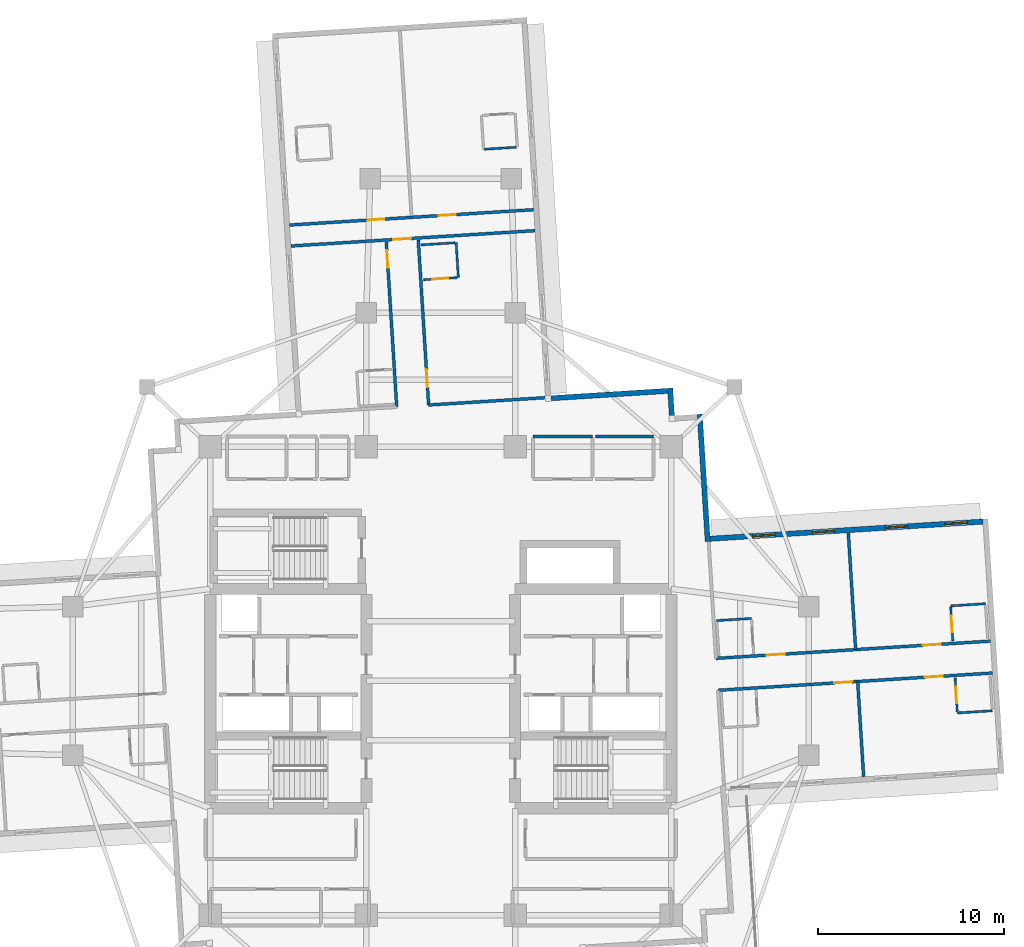
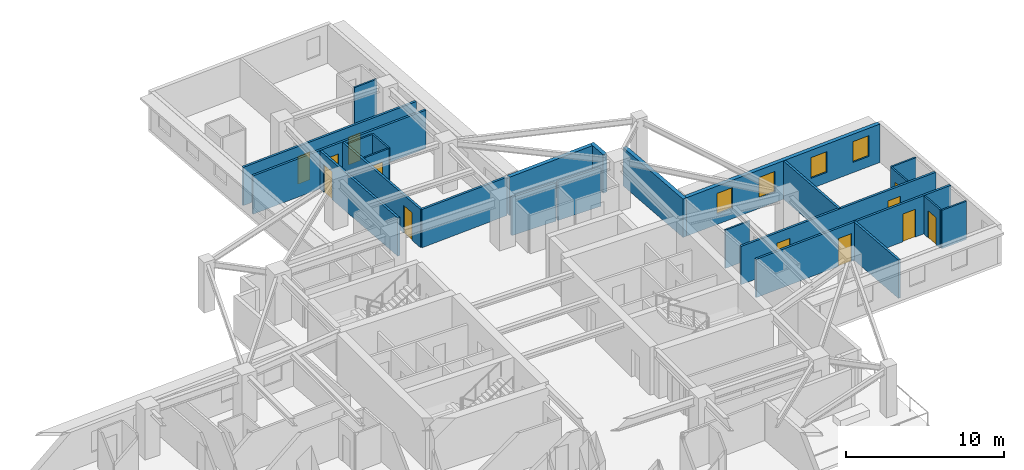
# One storey, part 8 of 14: 24 walls, 12 doors, 4 windows, 16 openings.
"""IFC4 building model written with IfcOpenShell, lengths in metres."""

from ifc_helpers import new_model, si_unit, direction, frame, frame_2d, origin, place, context, subcontext, project, spatial, rectangle, extrude, material, layer, layer_set, type_object, element, fill, save


model = new_model("IFC4")

# Units and contexts
model_context = context("Model", 3, precision=1e-05, world=origin(), true_north=direction((0.0, 1.0)))
body_context = subcontext(model_context, "Body", "Model", "MODEL_VIEW")
ifc_project = project(units=[si_unit("LENGTHUNIT", "METRE"), si_unit("AREAUNIT", "SQUARE_METRE"), si_unit("VOLUMEUNIT", "CUBIC_METRE"), si_unit("PLANEANGLEUNIT", "RADIAN"), si_unit("MASSUNIT", "GRAM", prefix="KILO")], contexts=[model_context])

# Site, building, storey
site_placement = place(None, origin())
site = spatial("IfcSite", under=ifc_project, at=site_placement, CompositionType="ELEMENT")
building_placement = place(site_placement, origin())
building = spatial("IfcBuilding", under=site, at=building_placement, Name="Qingluan Cross Belvedere", CompositionType="ELEMENT")
storey_placement = place(building_placement, frame((0.0, 0.0, 120.300048828125)))
storey = spatial("IfcBuildingStorey", under=building, at=storey_placement, Name="L30", CompositionType="ELEMENT", Elevation=120.300048828125)

# Walls
ifc_material_1 = material(Name="Gypsum plasterboard on steel stud acoustic partition", Category="steel")
ifc_layer_1 = layer(ifc_material_1, 0.159912109375, Name="CorridorPartition_160")
ifc_layer_set_1 = layer_set([ifc_layer_1], Name="Gypsum plasterboard on steel stud acoustic partition")
wall_type_1 = type_object("IfcWallType", Name="CorridorPartition_160", PredefinedType="PARTITIONING", material=ifc_layer_set_1)
wall_1_placement = place(storey_placement, frame((4.949951171875, 13.14990234375, 0.0), z_axis=(0.0, 0.0, 1.0), x_axis=(1.0, 0.0, 0.0)))
element("IfcWall", 1, at=wall_1_placement, inside=storey, type_object=wall_type_1, Name="Partition L30:q_ne1:N", PredefinedType="PARTITIONING", context=body_context, shape_type="SweptSolid", body=[
    extrude(rectangle(XDim=3.199951171875, YDim=0.159912109375, at=frame_2d((1.60009765625, 0.0))), origin(), (0.0, 0.0, 1.0), 2.9599609375),
])
wall_2_placement = place(storey_placement, frame((8.31005859375, 13.14990234375, 0.0), z_axis=(0.0, 0.0, 1.0), x_axis=(1.0, 0.0, 0.0)))
element("IfcWall", 2, at=wall_2_placement, inside=storey, type_object=wall_type_1, Name="Partition L30:q_ne2:N", PredefinedType="PARTITIONING", context=body_context, shape_type="SweptSolid", body=[
    extrude(rectangle(XDim=3.139892578125, YDim=0.159912109375, at=frame_2d((1.56982421875, 0.0))), origin(), (0.0, 0.0, 1.0), 2.9599609375),
])

# Wall, openings, doors
wall_3_placement = place(storey_placement, frame((14.802978515625, 1.2119140625, 0.0), z_axis=(0.0, 0.0, 1.0), x_axis=(0.998027564116, 0.062777235242, 0.0)))
wall_3 = element("IfcWall", 3, at=wall_3_placement, inside=storey, type_object=wall_type_1, Name="Partition L30:E:c0", PredefinedType="PARTITIONING", context=body_context, shape_type="SweptSolid", body=[
    extrude(rectangle(XDim=14.781982421875, YDim=0.159912109375, at=frame_2d((7.39111328125, 0.0))), origin(), (0.0, 0.0, 1.0), 2.9599609375),
])
opening_1_placement = place(wall_3_placement, frame((2.73291015625, 0.0, 0.0)))
opening_1 = element("IfcOpeningElement", 4, at=opening_1_placement, cuts=wall_3, Name="Opening GD-10", PredefinedType="OPENING", context=body_context, shape_type="SweptSolid", body=[
    extrude(rectangle(XDim=0.9599609375, YDim=2.14990234375, at=frame_2d((0.47998046875, 1.074951171875))), frame((0.0, 0.08984375, 0.0), z_axis=(0.0, -1.0, 0.0), x_axis=(1.0, 0.0, 0.0)), (0.0, 0.0, 1.0), 0.179931640625),
])
opening_2_placement = place(wall_3_placement, frame((11.14208984375, 0.0, 0.0)))
opening_2 = element("IfcOpeningElement", 5, at=opening_2_placement, cuts=wall_3, Name="Opening GD-10", PredefinedType="OPENING", context=body_context, shape_type="SweptSolid", body=[
    extrude(rectangle(XDim=0.9599609375, YDim=2.14990234375, at=frame_2d((0.47998046875, 1.074951171875))), frame((0.0, 0.08984375, 0.0), z_axis=(0.0, -1.0, 0.0), x_axis=(1.0, 0.0, 0.0)), (0.0, 0.0, 1.0), 0.179931640625),
])
ifc_material_2 = material(Name="Timber oak fire-rated acoustic guestroom door", Category="wood")
door_type_1 = type_object("IfcDoorType", Name="GuestEntryDoor_FD60", OperationType="NOTDEFINED", PredefinedType="DOOR", material=ifc_material_2)
door_1_placement = place(opening_1_placement, origin())
door_1 = element("IfcDoor", 6, at=door_1_placement, inside=storey, type_object=door_type_1, Name="Guest entry fire door 3001", OperationType="SINGLE_SWING_RIGHT", OverallHeight=2.14990234375, OverallWidth=0.9599609375, PredefinedType="DOOR", context=body_context, shape_type="SweptSolid", body=[
    extrude(rectangle(XDim=0.9599609375, YDim=2.14990234375, at=frame_2d((0.47998046875, 1.074951171875))), frame((0.0, 0.02490234375, 0.0), z_axis=(0.0, -1.0, 0.0), x_axis=(1.0, 0.0, 0.0)), (0.0, 0.0, 1.0), 0.050048828125),
])
fill(opening_1, door_1)
door_2_placement = place(opening_2_placement, origin())
door_2 = element("IfcDoor", 7, at=door_2_placement, inside=storey, type_object=door_type_1, Name="Guest entry fire door 3002", OperationType="SINGLE_SWING_RIGHT", OverallHeight=2.14990234375, OverallWidth=0.9599609375, PredefinedType="DOOR", context=body_context, shape_type="SweptSolid", body=[
    extrude(rectangle(XDim=0.9599609375, YDim=2.14990234375, at=frame_2d((0.47998046875, 1.074951171875))), frame((0.0, 0.02490234375, 0.0), z_axis=(0.0, -1.0, 0.0), x_axis=(1.0, 0.0, 0.0)), (0.0, 0.0, 1.0), 0.050048828125),
])
fill(opening_2, door_2)

# Wall
wall_4_placement = place(storey_placement, frame((22.313232421875, 1.684326171875, 0.0), z_axis=(0.0, 0.0, 1.0), x_axis=(-0.062779270337, 0.998027436104, 0.0)))
element("IfcWall", 8, at=wall_4_placement, inside=storey, type_object=wall_type_1, Name="Partition L30:E:d0_0", PredefinedType="PARTITIONING", context=body_context, shape_type="SweptSolid", body=[
    extrude(rectangle(XDim=6.292236328125, YDim=0.159912109375, at=frame_2d((3.14599609375, 0.0))), origin(), (0.0, 0.0, 1.0), 2.9599609375),
])

# Wall, openings, doors
wall_5_placement = place(storey_placement, frame((14.9111328125, -0.504638671875, 0.0), z_axis=(0.0, 0.0, 1.0), x_axis=(0.998027564116, 0.062777235242, 0.0)))
wall_5 = element("IfcWall", 9, at=wall_5_placement, inside=storey, type_object=wall_type_1, Name="Partition L30:E:c1", PredefinedType="PARTITIONING", context=body_context, shape_type="SweptSolid", body=[
    extrude(rectangle(XDim=14.781982421875, YDim=0.159912109375, at=frame_2d((7.39111328125, 0.0))), origin(), (0.0, 0.0, 1.0), 2.9599609375),
])
opening_3_placement = place(wall_5_placement, frame((6.264892578125, 0.0, 0.0)))
opening_3 = element("IfcOpeningElement", 10, at=opening_3_placement, cuts=wall_5, Name="Opening GD-10", PredefinedType="OPENING", context=body_context, shape_type="SweptSolid", body=[
    extrude(rectangle(XDim=0.9599609375, YDim=2.14990234375, at=frame_2d((0.47998046875, 1.074951171875))), frame((0.0, 0.08984375, 0.0), z_axis=(0.0, -1.0, 0.0), x_axis=(1.0, 0.0, 0.0)), (0.0, 0.0, 1.0), 0.179931640625),
])
opening_4_placement = place(wall_5_placement, frame((11.14208984375, 0.0, 0.0)))
opening_4 = element("IfcOpeningElement", 11, at=opening_4_placement, cuts=wall_5, Name="Opening GD-10", PredefinedType="OPENING", context=body_context, shape_type="SweptSolid", body=[
    extrude(rectangle(XDim=0.9599609375, YDim=2.14990234375, at=frame_2d((0.47998046875, 1.074951171875))), frame((0.0, 0.08984375, 0.0), z_axis=(0.0, -1.0, 0.0), x_axis=(1.0, 0.0, 0.0)), (0.0, 0.0, 1.0), 0.179931640625),
])
door_3_placement = place(opening_3_placement, origin())
door_3 = element("IfcDoor", 12, at=door_3_placement, inside=storey, type_object=door_type_1, Name="Guest entry fire door 3003", OperationType="SINGLE_SWING_RIGHT", OverallHeight=2.14990234375, OverallWidth=0.9599609375, PredefinedType="DOOR", context=body_context, shape_type="SweptSolid", body=[
    extrude(rectangle(XDim=0.9599609375, YDim=2.14990234375, at=frame_2d((0.47998046875, 1.074951171875))), frame((0.0, 0.02490234375, 0.0), z_axis=(0.0, -1.0, 0.0), x_axis=(1.0, 0.0, 0.0)), (0.0, 0.0, 1.0), 0.050048828125),
])
fill(opening_3, door_3)
door_4_placement = place(opening_4_placement, origin())
door_4 = element("IfcDoor", 13, at=door_4_placement, inside=storey, type_object=door_type_1, Name="Guest entry fire door 3004", OperationType="SINGLE_SWING_RIGHT", OverallHeight=2.14990234375, OverallWidth=0.9599609375, PredefinedType="DOOR", context=body_context, shape_type="SweptSolid", body=[
    extrude(rectangle(XDim=0.9599609375, YDim=2.14990234375, at=frame_2d((0.47998046875, 1.074951171875))), frame((0.0, 0.02490234375, 0.0), z_axis=(0.0, -1.0, 0.0), x_axis=(1.0, 0.0, 0.0)), (0.0, 0.0, 1.0), 0.050048828125),
])
fill(opening_4, door_4)

# Wall
wall_6_placement = place(storey_placement, frame((22.42138671875, -0.0322265625, 0.0), z_axis=(0.0, 0.0, 1.0), x_axis=(0.062748498058, -0.998029371307, 0.0)))
element("IfcWall", 14, at=wall_6_placement, inside=storey, type_object=wall_type_1, Name="Partition L30:E:d1_0", PredefinedType="PARTITIONING", context=body_context, shape_type="SweptSolid", body=[
    extrude(rectangle(XDim=5.1318359375, YDim=0.159912109375, at=frame_2d((2.56591796875, 0.0))), origin(), (0.0, 0.0, 1.0), 2.9599609375),
])

# Wall, opening, door
wall_7_placement = place(storey_placement, frame((-0.653076171875, 14.83837890625, 0.0), z_axis=(0.0, 0.0, 1.0), x_axis=(-0.062791573569, 0.998026662113, 0.0)))
wall_7 = element("IfcWall", 15, at=wall_7_placement, inside=storey, type_object=wall_type_1, Name="Partition L30:N:c0", PredefinedType="PARTITIONING", context=body_context, shape_type="SweptSolid", body=[
    extrude(rectangle(XDim=8.89990234375, YDim=0.159912109375, at=frame_2d((4.449951171875, 0.0))), origin(), (0.0, 0.0, 1.0), 2.9599609375),
])
opening_5_placement = place(wall_7_placement, frame((0.952880859375, 0.0, 0.0)))
opening_5 = element("IfcOpeningElement", 16, at=opening_5_placement, cuts=wall_7, Name="Opening GD-10", PredefinedType="OPENING", context=body_context, shape_type="SweptSolid", body=[
    extrude(rectangle(XDim=0.9599609375, YDim=2.14990234375, at=frame_2d((0.47998046875, 1.074951171875))), frame((0.0, 0.08984375, 0.0), z_axis=(0.0, -1.0, 0.0), x_axis=(1.0, 0.0, 0.0)), (0.0, 0.0, 1.0), 0.179931640625),
])
door_5_placement = place(opening_5_placement, origin())
door_5 = element("IfcDoor", 17, at=door_5_placement, inside=storey, type_object=door_type_1, Name="Guest entry fire door 3007", OperationType="SINGLE_SWING_RIGHT", OverallHeight=2.14990234375, OverallWidth=0.9599609375, PredefinedType="DOOR", context=body_context, shape_type="SweptSolid", body=[
    extrude(rectangle(XDim=0.9599609375, YDim=2.14990234375, at=frame_2d((0.47998046875, 1.074951171875))), frame((0.0, 0.02490234375, 0.0), z_axis=(0.0, -1.0, 0.0), x_axis=(1.0, 0.0, 0.0)), (0.0, 0.0, 1.0), 0.050048828125),
])
fill(opening_5, door_5)

# Wall
wall_8_placement = place(storey_placement, frame((-0.653076171875, 14.83837890625, 0.0), z_axis=(0.0, 0.0, 1.0), x_axis=(0.998027570366, 0.062777135888, 0.0)))
element("IfcWall", 18, at=wall_8_placement, inside=storey, type_object=wall_type_1, Name="Partition L30:N:s0", PredefinedType="PARTITIONING", context=body_context, shape_type="SweptSolid", body=[
    extrude(rectangle(XDim=6.440185546875, YDim=0.159912109375, at=frame_2d((3.22021484375, 0.0))), origin(), (0.0, 0.0, 1.0), 2.9599609375),
])

# Wall, opening, door
wall_9_placement = place(storey_placement, frame((-2.36962890625, 14.730224609375, 0.0), z_axis=(0.0, 0.0, 1.0), x_axis=(-0.062789854524, 0.998026770267, 0.0)))
wall_9 = element("IfcWall", 19, at=wall_9_placement, inside=storey, type_object=wall_type_1, Name="Partition L30:N:c1", PredefinedType="PARTITIONING", context=body_context, shape_type="SweptSolid", body=[
    extrude(rectangle(XDim=8.900146484375, YDim=0.159912109375, at=frame_2d((4.4501953125, 0.0))), origin(), (0.0, 0.0, 1.0), 2.9599609375),
])
opening_6_placement = place(wall_9_placement, frame((7.5, 0.0, 0.0)))
opening_6 = element("IfcOpeningElement", 20, at=opening_6_placement, cuts=wall_9, Name="Opening GD-10", PredefinedType="OPENING", context=body_context, shape_type="SweptSolid", body=[
    extrude(rectangle(XDim=0.9599609375, YDim=2.14990234375, at=frame_2d((0.47998046875, 1.074951171875))), frame((0.0, 0.08984375, 0.0), z_axis=(0.0, -1.0, 0.0), x_axis=(1.0, 0.0, 0.0)), (0.0, 0.0, 1.0), 0.179931640625),
])
door_6_placement = place(opening_6_placement, origin())
door_6 = element("IfcDoor", 21, at=door_6_placement, inside=storey, type_object=door_type_1, Name="Guest entry fire door 3008", OperationType="SINGLE_SWING_RIGHT", OverallHeight=2.14990234375, OverallWidth=0.9599609375, PredefinedType="DOOR", context=body_context, shape_type="SweptSolid", body=[
    extrude(rectangle(XDim=0.9599609375, YDim=2.14990234375, at=frame_2d((0.47998046875, 1.074951171875))), frame((0.0, 0.02490234375, 0.0), z_axis=(0.0, -1.0, 0.0), x_axis=(1.0, 0.0, 0.0)), (0.0, 0.0, 1.0), 0.050048828125),
])
fill(opening_6, door_6)

wall_10_placement = place(storey_placement, frame((-8.056640625, 23.390380859375, 0.0), z_axis=(0.0, 0.0, 1.0), x_axis=(0.998027273128, 0.062781861182, 0.0)))
wall_10 = element("IfcWall", 22, at=wall_10_placement, inside=storey, type_object=wall_type_1, Name="Partition L30:Ncap:in", PredefinedType="PARTITIONING", context=body_context, shape_type="SweptSolid", body=[
    extrude(rectangle(XDim=13.143798828125, YDim=0.159912109375, at=frame_2d((6.57177734375, 0.0))), origin(), (0.0, 0.0, 1.0), 2.9599609375),
])
opening_7_placement = place(wall_10_placement, frame((5.511962890625, 0.0, 0.0)))
opening_7 = element("IfcOpeningElement", 23, at=opening_7_placement, cuts=wall_10, Name="Opening GD-10", PredefinedType="OPENING", context=body_context, shape_type="SweptSolid", body=[
    extrude(rectangle(XDim=0.9599609375, YDim=2.14990234375, at=frame_2d((0.47998046875, 1.074951171875))), frame((0.0, 0.08984375, 0.0), z_axis=(0.0, -1.0, 0.0), x_axis=(1.0, 0.0, 0.0)), (0.0, 0.0, 1.0), 0.179931640625),
])
door_7_placement = place(opening_7_placement, origin())
door_7 = element("IfcDoor", 24, at=door_7_placement, inside=storey, type_object=door_type_1, Name="Corner gallery fire door L30N", OperationType="SINGLE_SWING_LEFT", OverallHeight=2.14990234375, OverallWidth=0.9599609375, PredefinedType="DOOR", context=body_context, shape_type="SweptSolid", body=[
    extrude(rectangle(XDim=0.9599609375, YDim=2.14990234375, at=frame_2d((0.47998046875, 1.074951171875))), frame((0.0, 0.02490234375, 0.0), z_axis=(0.0, -1.0, 0.0), x_axis=(1.0, 0.0, 0.0)), (0.0, 0.0, 1.0), 0.050048828125),
])
fill(opening_7, door_7)

# Wall, openings, doors
wall_11_placement = place(storey_placement, frame((-8.12744140625, 24.51806640625, 0.0), z_axis=(0.0, 0.0, 1.0), x_axis=(0.998026109115, 0.062800362452, 0.0)))
wall_11 = element("IfcWall", 25, at=wall_11_placement, inside=storey, type_object=wall_type_1, Name="Partition L30:Ncap:vw", PredefinedType="PARTITIONING", context=body_context, shape_type="SweptSolid", body=[
    extrude(rectangle(XDim=13.143798828125, YDim=0.159912109375, at=frame_2d((6.57177734375, 0.0))), origin(), (0.0, 0.0, 1.0), 2.9599609375),
])
opening_8_placement = place(wall_11_placement, frame((4.201904296875, 0.0, 0.0)))
opening_8 = element("IfcOpeningElement", 26, at=opening_8_placement, cuts=wall_11, Name="Opening GD-09", PredefinedType="OPENING", context=body_context, shape_type="SweptSolid", body=[
    extrude(rectangle(XDim=0.89990234375, YDim=2.14990234375, at=frame_2d((0.449951171875, 1.074951171875))), frame((0.0, 0.08984375, 0.0), z_axis=(0.0, -1.0, 0.0), x_axis=(1.0, 0.0, 0.0)), (0.0, 0.0, 1.0), 0.179931640625),
])
opening_9_placement = place(wall_11_placement, frame((8.0419921875, 0.0, 0.0)))
opening_9 = element("IfcOpeningElement", 27, at=opening_9_placement, cuts=wall_11, Name="Opening GD-09", PredefinedType="OPENING", context=body_context, shape_type="SweptSolid", body=[
    extrude(rectangle(XDim=0.89990234375, YDim=2.14990234375, at=frame_2d((0.449951171875, 1.074951171875))), frame((0.0, 0.08984375, 0.0), z_axis=(0.0, -1.0, 0.0), x_axis=(1.0, 0.0, 0.0)), (0.0, 0.0, 1.0), 0.179931640625),
])
ifc_material_3 = material(Name="Timber oak fire-rated corner room door", Category="wood")
door_type_2 = type_object("IfcDoorType", Name="CornerRoomDoor_FD60", OperationType="NOTDEFINED", PredefinedType="DOOR", material=ifc_material_3)
door_8_placement = place(opening_8_placement, origin())
door_8 = element("IfcDoor", 28, at=door_8_placement, inside=storey, type_object=door_type_2, Name="Deluxe corner room door L30N1", OperationType="SINGLE_SWING_RIGHT", OverallHeight=2.14990234375, OverallWidth=0.89990234375, PredefinedType="DOOR", context=body_context, shape_type="SweptSolid", body=[
    extrude(rectangle(XDim=0.89990234375, YDim=2.14990234375, at=frame_2d((0.449951171875, 1.074951171875))), frame((0.0, 0.02490234375, 0.0), z_axis=(0.0, -1.0, 0.0), x_axis=(1.0, 0.0, 0.0)), (0.0, 0.0, 1.0), 0.050048828125),
])
fill(opening_8, door_8)
door_9_placement = place(opening_9_placement, origin())
door_9 = element("IfcDoor", 29, at=door_9_placement, inside=storey, type_object=door_type_2, Name="Deluxe corner room door L30N2", OperationType="SINGLE_SWING_LEFT", OverallHeight=2.14990234375, OverallWidth=0.89990234375, PredefinedType="DOOR", context=body_context, shape_type="SweptSolid", body=[
    extrude(rectangle(XDim=0.89990234375, YDim=2.14990234375, at=frame_2d((0.449951171875, 1.074951171875))), frame((0.0, 0.02490234375, 0.0), z_axis=(0.0, -1.0, 0.0), x_axis=(1.0, 0.0, 0.0)), (0.0, 0.0, 1.0), 0.050048828125),
])
fill(opening_9, door_9)

# Wall
ifc_material_4 = material(Name="Moisture-resistant gypsum board lining")
ifc_layer_2 = layer(ifc_material_4, 0.1201171875, Name="EnsuiteWetPartition_120")
ifc_layer_set_2 = layer_set([ifc_layer_2], Name="Moisture-resistant gypsum board lining")
wall_type_2 = type_object("IfcWallType", Name="EnsuiteWetPartition_120", PredefinedType="PARTITIONING", material=ifc_layer_set_2)
wall_12_placement = place(storey_placement, frame((14.835693359375, 3.242919921875, 0.0), z_axis=(0.0, 0.0, 1.0), x_axis=(0.998022650819, 0.062855297722, 0.0)))
element("IfcWall", 30, at=wall_12_placement, inside=storey, type_object=wall_type_2, Name="Partition L30:E:bn0_0", PredefinedType="PARTITIONING", context=body_context, shape_type="SweptSolid", body=[
    extrude(rectangle(XDim=1.8798828125, YDim=0.1201171875, at=frame_2d((0.93994140625, 0.0))), origin(), (0.0, 0.0, 1.0), 2.9599609375),
])

# Wall, opening, door
wall_13_placement = place(storey_placement, frame((27.5390625, 2.1533203125, 0.0), z_axis=(0.0, 0.0, 1.0), x_axis=(-0.062770741989, 0.998027972529, 0.0)))
wall_13 = element("IfcWall", 31, at=wall_13_placement, inside=storey, type_object=wall_type_2, Name="Partition L30:E:bs0_1", PredefinedType="PARTITIONING", context=body_context, shape_type="SweptSolid", body=[
    extrude(rectangle(XDim=1.8203125, YDim=0.1201171875, at=frame_2d((0.91015625, 0.0))), origin(), (0.0, 0.0, 1.0), 2.9599609375),
])
opening_10_placement = place(wall_13_placement, frame((0.469970703125, 0.0, 0.0)))
opening_10 = element("IfcOpeningElement", 32, at=opening_10_placement, cuts=wall_13, Name="Opening BD-09", PredefinedType="OPENING", context=body_context, shape_type="SweptSolid", body=[
    extrude(rectangle(XDim=0.8798828125, YDim=2.10009765625, at=frame_2d((0.43994140625, 1.050048828125))), frame((0.0, 0.070068359375, 0.0), z_axis=(0.0, -1.0, 0.0), x_axis=(1.0, 0.0, 0.0)), (0.0, 0.0, 1.0), 0.14013671875),
])
ifc_material_5 = material(Name="Moisture-sealed timber en-suite door", Category="wood")
door_type_3 = type_object("IfcDoorType", Name="BathroomDoor_880", OperationType="NOTDEFINED", PredefinedType="DOOR", material=ifc_material_5)
door_10_placement = place(opening_10_placement, origin())
door_10 = element("IfcDoor", 33, at=door_10_placement, inside=storey, type_object=door_type_3, Name="Bathroom door 3002", OperationType="SINGLE_SWING_LEFT", OverallHeight=2.10009765625, OverallWidth=0.8798828125, PredefinedType="DOOR", context=body_context, shape_type="SweptSolid", body=[
    extrude(rectangle(XDim=0.8798828125, YDim=2.10009765625, at=frame_2d((0.43994140625, 1.050048828125))), frame((0.0, 0.02490234375, 0.0), z_axis=(0.0, -1.0, 0.0), x_axis=(1.0, 0.0, 0.0)), (0.0, 0.0, 1.0), 0.050048828125),
])
fill(opening_10, door_10)

# Wall
wall_14_placement = place(storey_placement, frame((27.4208984375, 4.03466796875, 0.0), z_axis=(0.0, 0.0, 1.0), x_axis=(0.998022650819, 0.062855297722, 0.0)))
element("IfcWall", 34, at=wall_14_placement, inside=storey, type_object=wall_type_2, Name="Partition L30:E:bn0_1", PredefinedType="PARTITIONING", context=body_context, shape_type="SweptSolid", body=[
    extrude(rectangle(XDim=1.8798828125, YDim=0.1201171875, at=frame_2d((0.93994140625, 0.0))), origin(), (0.0, 0.0, 1.0), 2.9599609375),
])

# Wall, opening, door
wall_15_placement = place(storey_placement, frame((27.779052734375, -1.658935546875, 0.0), z_axis=(0.0, 0.0, 1.0), x_axis=(-0.062779145668, 0.998027443946, 0.0)))
wall_15 = element("IfcWall", 35, at=wall_15_placement, inside=storey, type_object=wall_type_2, Name="Partition L30:E:bs1_1", PredefinedType="PARTITIONING", context=body_context, shape_type="SweptSolid", body=[
    extrude(rectangle(XDim=1.820068359375, YDim=0.1201171875, at=frame_2d((0.91015625, 0.0))), origin(), (0.0, 0.0, 1.0), 2.9599609375),
])
opening_11_placement = place(wall_15_placement, frame((0.469970703125, 0.0, 0.0)))
opening_11 = element("IfcOpeningElement", 36, at=opening_11_placement, cuts=wall_15, Name="Opening BD-09", PredefinedType="OPENING", context=body_context, shape_type="SweptSolid", body=[
    extrude(rectangle(XDim=0.8798828125, YDim=2.10009765625, at=frame_2d((0.43994140625, 1.050048828125))), frame((0.0, 0.070068359375, 0.0), z_axis=(0.0, -1.0, 0.0), x_axis=(1.0, 0.0, 0.0)), (0.0, 0.0, 1.0), 0.14013671875),
])
door_11_placement = place(opening_11_placement, origin())
door_11 = element("IfcDoor", 37, at=door_11_placement, inside=storey, type_object=door_type_3, Name="Bathroom door 3004", OperationType="SINGLE_SWING_LEFT", OverallHeight=2.10009765625, OverallWidth=0.8798828125, PredefinedType="DOOR", context=body_context, shape_type="SweptSolid", body=[
    extrude(rectangle(XDim=0.8798828125, YDim=2.10009765625, at=frame_2d((0.43994140625, 1.050048828125))), frame((0.0, 0.02490234375, 0.0), z_axis=(0.0, -1.0, 0.0), x_axis=(1.0, 0.0, 0.0)), (0.0, 0.0, 1.0), 0.050048828125),
])
fill(opening_11, door_11)

# Wall
wall_16_placement = place(storey_placement, frame((27.783203125, -1.723876953125, 0.0), z_axis=(0.0, 0.0, 1.0), x_axis=(0.998022650819, 0.062855297722, 0.0)))
element("IfcWall", 38, at=wall_16_placement, inside=storey, type_object=wall_type_2, Name="Partition L30:E:bc1_1", PredefinedType="PARTITIONING", context=body_context, shape_type="SweptSolid", body=[
    extrude(rectangle(XDim=1.8798828125, YDim=0.1201171875, at=frame_2d((0.93994140625, 0.0))), origin(), (0.0, 0.0, 1.0), 2.9599609375),
])

# Wall, opening, door
wall_17_placement = place(storey_placement, frame((-0.9365234375, 21.57373046875, 0.0), z_axis=(0.0, 0.0, 1.0), x_axis=(0.998027443946, 0.062779145668, 0.0)))
wall_17 = element("IfcWall", 39, at=wall_17_placement, inside=storey, type_object=wall_type_2, Name="Partition L30:N:bs0_0", PredefinedType="PARTITIONING", context=body_context, shape_type="SweptSolid", body=[
    extrude(rectangle(XDim=1.820068359375, YDim=0.1201171875, at=frame_2d((0.91015625, 0.0))), origin(), (0.0, 0.0, 1.0), 2.9599609375),
])
opening_12_placement = place(wall_17_placement, frame((0.469970703125, 0.0, 0.0)))
opening_12 = element("IfcOpeningElement", 40, at=opening_12_placement, cuts=wall_17, Name="Opening BD-09", PredefinedType="OPENING", context=body_context, shape_type="SweptSolid", body=[
    extrude(rectangle(XDim=0.8798828125, YDim=2.10009765625, at=frame_2d((0.43994140625, 1.050048828125))), frame((0.0, 0.070068359375, 0.0), z_axis=(0.0, -1.0, 0.0), x_axis=(1.0, 0.0, 0.0)), (0.0, 0.0, 1.0), 0.14013671875),
])
door_12_placement = place(opening_12_placement, origin())
door_12 = element("IfcDoor", 41, at=door_12_placement, inside=storey, type_object=door_type_3, Name="Bathroom door 3007", OperationType="SINGLE_SWING_LEFT", OverallHeight=2.10009765625, OverallWidth=0.8798828125, PredefinedType="DOOR", context=body_context, shape_type="SweptSolid", body=[
    extrude(rectangle(XDim=0.8798828125, YDim=2.10009765625, at=frame_2d((0.43994140625, 1.050048828125))), frame((0.0, 0.02490234375, 0.0), z_axis=(0.0, -1.0, 0.0), x_axis=(1.0, 0.0, 0.0)), (0.0, 0.0, 1.0), 0.050048828125),
])
fill(opening_12, door_12)

# Walls
wall_18_placement = place(storey_placement, frame((-1.054443359375, 23.4501953125, 0.0), z_axis=(0.0, 0.0, 1.0), x_axis=(0.998035839873, 0.062645529196, 0.0)))
element("IfcWall", 42, at=wall_18_placement, inside=storey, type_object=wall_type_2, Name="Partition L30:N:bw0_0", PredefinedType="PARTITIONING", context=body_context, shape_type="SweptSolid", body=[
    extrude(rectangle(XDim=1.820068359375, YDim=0.1201171875, at=frame_2d((0.91015625, 0.0))), origin(), (0.0, 0.0, 1.0), 2.9599609375),
])
wall_19_placement = place(storey_placement, frame((0.94482421875, 21.692138671875, 0.0), z_axis=(0.0, 0.0, 1.0), x_axis=(-0.062725942896, 0.998030789148, 0.0)))
element("IfcWall", 43, at=wall_19_placement, inside=storey, type_object=wall_type_2, Name="Partition L30:N:bn0_0", PredefinedType="PARTITIONING", context=body_context, shape_type="SweptSolid", body=[
    extrude(rectangle(XDim=1.8798828125, YDim=0.1201171875, at=frame_2d((0.93994140625, 0.0))), origin(), (0.0, 0.0, 1.0), 2.9599609375),
])
wall_20_placement = place(storey_placement, frame((2.359130859375, 28.594482421875, 0.0), z_axis=(0.0, 0.0, 1.0), x_axis=(0.998020036003, 0.062896802269, 0.0)))
element("IfcWall", 44, at=wall_20_placement, inside=storey, type_object=wall_type_2, Name="Partition L30:Ncap:b2a", PredefinedType="PARTITIONING", context=body_context, shape_type="SweptSolid", body=[
    extrude(rectangle(XDim=1.7001953125, YDim=0.1201171875, at=frame_2d((0.85009765625, 0.0))), origin(), (0.0, 0.0, 1.0), 2.9599609375),
])

# Wall, openings, windows
ifc_material_6 = material(Name="Precast concrete C45", Category="concrete")
ifc_layer_3 = layer(ifc_material_6, 0.280029296875, Name="PrecastFacadeWall_280")
ifc_layer_set_3 = layer_set([ifc_layer_3], Name="Precast concrete C45")
wall_type_3 = type_object("IfcWallType", Name="PrecastFacadeWall_280", PredefinedType="STANDARD", material=ifc_layer_set_3)
wall_21_placement = place(storey_placement, frame((29.15966796875, 8.56787109375, 0.0), z_axis=(0.0, 0.0, 1.0), x_axis=(-0.998026448555, -0.062794967833, 0.0)))
wall_21 = element("IfcWall", 45, at=wall_21_placement, inside=storey, type_object=wall_type_3, Name="Facade wall L30-EB", PredefinedType="STANDARD", context=body_context, shape_type="SweptSolid", body=[
    extrude(rectangle(XDim=14.7001953125, YDim=0.280029296875, at=frame_2d((7.35009765625, 0.0))), origin(), (0.0, 0.0, 1.0), 2.969970703125),
])
opening_13_placement = place(wall_21_placement, frame((0.85009765625, 0.0, 0.800048828125)))
opening_13 = element("IfcOpeningElement", 46, at=opening_13_placement, cuts=wall_21, Name="Opening W-02", PredefinedType="OPENING", context=body_context, shape_type="SweptSolid", body=[
    extrude(rectangle(XDim=1.199951171875, YDim=1.60009765625, at=frame_2d((0.60009765625, 0.800048828125))), frame((0.0, 0.14990234375, 0.0), z_axis=(0.0, -1.0, 0.0), x_axis=(1.0, 0.0, 0.0)), (0.0, 0.0, 1.0), 0.300048828125),
])
opening_14_placement = place(wall_21_placement, frame((4.050048828125, 0.0, 0.800048828125)))
opening_14 = element("IfcOpeningElement", 47, at=opening_14_placement, cuts=wall_21, Name="Opening W-02", PredefinedType="OPENING", context=body_context, shape_type="SweptSolid", body=[
    extrude(rectangle(XDim=1.199951171875, YDim=1.60009765625, at=frame_2d((0.60009765625, 0.800048828125))), frame((0.0, 0.14990234375, 0.0), z_axis=(0.0, -1.0, 0.0), x_axis=(1.0, 0.0, 0.0)), (0.0, 0.0, 1.0), 0.300048828125),
])
opening_15_placement = place(wall_21_placement, frame((8.0, 0.0, 0.800048828125)))
opening_15 = element("IfcOpeningElement", 48, at=opening_15_placement, cuts=wall_21, Name="Opening W-02", PredefinedType="OPENING", context=body_context, shape_type="SweptSolid", body=[
    extrude(rectangle(XDim=1.199951171875, YDim=1.60009765625, at=frame_2d((0.60009765625, 0.800048828125))), frame((0.0, 0.14990234375, 0.0), z_axis=(0.0, -1.0, 0.0), x_axis=(1.0, 0.0, 0.0)), (0.0, 0.0, 1.0), 0.300048828125),
])
opening_16_placement = place(wall_21_placement, frame((11.199951171875, 0.0, 0.800048828125)))
opening_16 = element("IfcOpeningElement", 49, at=opening_16_placement, cuts=wall_21, Name="Opening W-02", PredefinedType="OPENING", context=body_context, shape_type="SweptSolid", body=[
    extrude(rectangle(XDim=1.199951171875, YDim=1.60009765625, at=frame_2d((0.60009765625, 0.800048828125))), frame((0.0, 0.14990234375, 0.0), z_axis=(0.0, -1.0, 0.0), x_axis=(1.0, 0.0, 0.0)), (0.0, 0.0, 1.0), 0.300048828125),
])
ifc_material_7 = material(Name="Thermally broken triple Low-E glass in aluminium frame", Category="aluminium")
window_type = type_object("IfcWindowType", Name="TriRibbonWin_1200x1600", PartitioningType="SINGLE_PANEL", PredefinedType="WINDOW", material=ifc_material_7)
window_1_placement = place(opening_13_placement, origin())
window_1 = element("IfcWindow", 50, at=window_1_placement, inside=storey, type_object=window_type, Name="Ribbon window L30-EB-1", OverallHeight=1.60009765625, OverallWidth=1.199951171875, PartitioningType="SINGLE_PANEL", PredefinedType="WINDOW", context=body_context, shape_type="SweptSolid", body=[
    extrude(rectangle(XDim=1.199951171875, YDim=1.60009765625, at=frame_2d((0.60009765625, 0.800048828125))), frame((0.0, 0.030029296875, 0.0), z_axis=(0.0, -1.0, 0.0), x_axis=(1.0, 0.0, 0.0)), (0.0, 0.0, 1.0), 0.06005859375),
])
fill(opening_13, window_1)
window_2_placement = place(opening_14_placement, origin())
window_2 = element("IfcWindow", 51, at=window_2_placement, inside=storey, type_object=window_type, Name="Ribbon window L30-EB-2", OverallHeight=1.60009765625, OverallWidth=1.199951171875, PartitioningType="SINGLE_PANEL", PredefinedType="WINDOW", context=body_context, shape_type="SweptSolid", body=[
    extrude(rectangle(XDim=1.199951171875, YDim=1.60009765625, at=frame_2d((0.60009765625, 0.800048828125))), frame((0.0, 0.030029296875, 0.0), z_axis=(0.0, -1.0, 0.0), x_axis=(1.0, 0.0, 0.0)), (0.0, 0.0, 1.0), 0.06005859375),
])
fill(opening_14, window_2)
window_3_placement = place(opening_15_placement, origin())
window_3 = element("IfcWindow", 52, at=window_3_placement, inside=storey, type_object=window_type, Name="Ribbon window L30-EB-3", OverallHeight=1.60009765625, OverallWidth=1.199951171875, PartitioningType="SINGLE_PANEL", PredefinedType="WINDOW", context=body_context, shape_type="SweptSolid", body=[
    extrude(rectangle(XDim=1.199951171875, YDim=1.60009765625, at=frame_2d((0.60009765625, 0.800048828125))), frame((0.0, 0.030029296875, 0.0), z_axis=(0.0, -1.0, 0.0), x_axis=(1.0, 0.0, 0.0)), (0.0, 0.0, 1.0), 0.06005859375),
])
fill(opening_15, window_3)
window_4_placement = place(opening_16_placement, origin())
window_4 = element("IfcWindow", 53, at=window_4_placement, inside=storey, type_object=window_type, Name="Ribbon window L30-EB-4", OverallHeight=1.60009765625, OverallWidth=1.199951171875, PartitioningType="SINGLE_PANEL", PredefinedType="WINDOW", context=body_context, shape_type="SweptSolid", body=[
    extrude(rectangle(XDim=1.199951171875, YDim=1.60009765625, at=frame_2d((0.60009765625, 0.800048828125))), frame((0.0, 0.030029296875, 0.0), z_axis=(0.0, -1.0, 0.0), x_axis=(1.0, 0.0, 0.0)), (0.0, 0.0, 1.0), 0.06005859375),
])
fill(opening_16, window_4)

# Walls
wall_22_placement = place(storey_placement, frame((14.357666015625, 7.496337890625, 0.0), z_axis=(0.0, 0.0, 1.0), x_axis=(-0.062779317195, 0.998027433156, 0.0)))
element("IfcWall", 54, at=wall_22_placement, inside=storey, type_object=wall_type_3, Name="Corner wall L30-NE1", PredefinedType="STANDARD", context=body_context, shape_type="SweptSolid", body=[
    extrude(rectangle(XDim=6.85986328125, YDim=0.280029296875, at=frame_2d((3.429931640625, 0.0))), origin(), (0.0, 0.0, 1.0), 2.969970703125),
])
wall_23_placement = place(storey_placement, frame((12.429931640625, 14.24853515625, 0.0), z_axis=(0.0, 0.0, 1.0), x_axis=(-0.062824119533, 0.998024613927, 0.0)))
element("IfcWall", 55, at=wall_23_placement, inside=storey, type_object=wall_type_3, Name="Corner wall L30-NE3", PredefinedType="STANDARD", context=body_context, shape_type="SweptSolid", body=[
    extrude(rectangle(XDim=1.5, YDim=0.280029296875, at=frame_2d((0.75, 0.0))), origin(), (0.0, 0.0, 1.0), 2.969970703125),
])
wall_24_placement = place(storey_placement, frame((12.20458984375, 15.59716796875, 0.0), z_axis=(0.0, 0.0, 1.0), x_axis=(-0.998024885752, -0.062819801181, 0.0)))
element("IfcWall", 56, at=wall_24_placement, inside=storey, type_object=wall_type_3, Name="Corner wall L30-NE4", PredefinedType="STANDARD", context=body_context, shape_type="SweptSolid", body=[
    extrude(rectangle(XDim=6.2998046875, YDim=0.280029296875, at=frame_2d((3.14990234375, 0.0))), origin(), (0.0, 0.0, 1.0), 2.969970703125),
])

save(model, "model.ifc")
